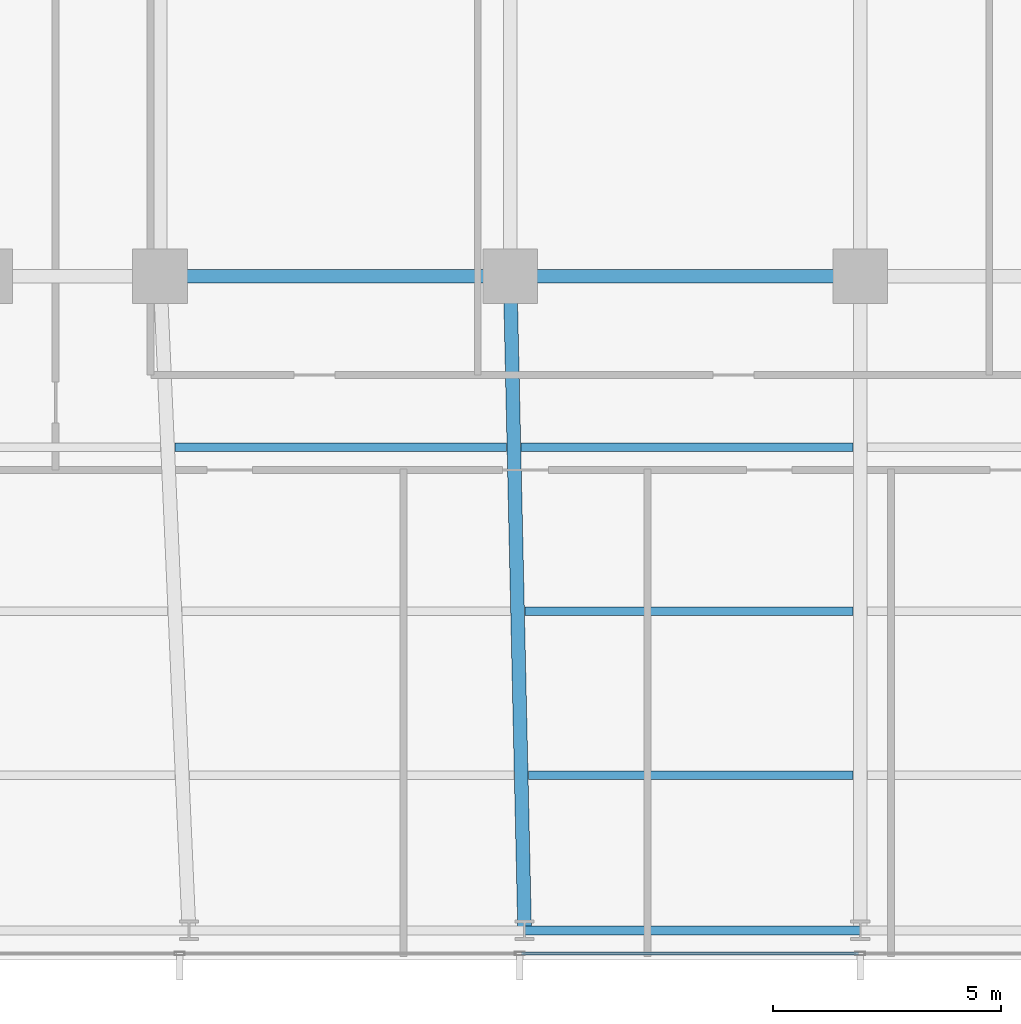
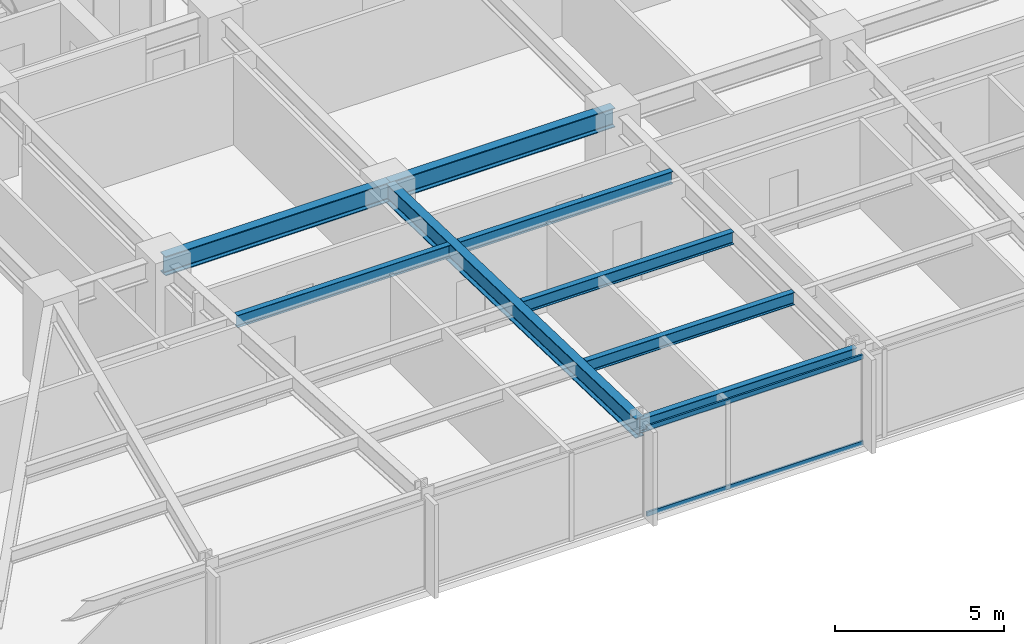
# One storey, part 6 of 32: 8 beams, 2 members, 1 element without a shape of its own.
"""IFC4 building model written with IfcOpenShell, lengths in metres."""

from ifc_helpers import new_model, si_unit, direction, frame, origin, origin_2d, place, context, subcontext, project, spatial, hollow_rectangle, i_section, extrude, material, material_profile, profile_set, type_object, element, aggregate, save


model = new_model("IFC4")

# Units and contexts
model_context = context("Model", 3, precision=1e-05, world=origin(), true_north=direction((0.0, 1.0)))
body_context = subcontext(model_context, "Body", "Model", "MODEL_VIEW")
ifc_project = project(units=[si_unit("LENGTHUNIT", "METRE"), si_unit("AREAUNIT", "SQUARE_METRE"), si_unit("VOLUMEUNIT", "CUBIC_METRE"), si_unit("PLANEANGLEUNIT", "RADIAN"), si_unit("MASSUNIT", "GRAM", prefix="KILO")], contexts=[model_context])

# Site, building, storey
site_placement = place(None, origin())
site = spatial("IfcSite", under=ifc_project, at=site_placement, CompositionType="ELEMENT")
building_placement = place(site_placement, origin())
building = spatial("IfcBuilding", under=site, at=building_placement, Name="Yelkora Congress Tower", CompositionType="ELEMENT")
storey_placement = place(building_placement, frame((0.0, 0.0, 44.0)))
storey = spatial("IfcBuildingStorey", under=building, at=storey_placement, Name="L10", CompositionType="ELEMENT", Elevation=44.0)

# Beams
ifc_material_1 = material(Name="Steel S355J2", Category="steel")
ifc_material_profile_1 = material_profile(ifc_material_1, i_section(OverallWidth=0.300048828125, OverallDepth=0.699951171875, WebThickness=0.01708984375, FlangeThickness=0.031982421875, FilletRadius=0.027099609375, at=origin_2d()), Name="HEB 700")
ifc_profile_set_1 = profile_set([ifc_material_profile_1], Name="Steel S355J2")
beam_type_1 = type_object("IfcBeamType", Name="BM-GIRD-HEB700", PredefinedType="BEAM", material=ifc_profile_set_1)
for number, where, z_axis, x_axis, name in (
    (1, (23.0400390625, 25.199951171875, 2.830078125), (1.0, 0.0, 0.0), (0.0, 1.0, 0.0), "L10 Spine Grid D Girder 2"),
    (2, (30.719970703125, 25.199951171875, 2.830078125), (1.0, 0.0, 0.0), (0.0, 1.0, 0.0), "L10 Spine Grid D Girder 3"),
):
    element("IfcBeam", number, at=place(storey_placement, frame(where, z_axis=z_axis, x_axis=x_axis)), inside=storey, type_object=beam_type_1, Name=name, PredefinedType="BEAM", context=body_context, shape_type="SweptSolid", body=[
        extrude(i_section(OverallWidth=0.300048828125, OverallDepth=0.699951171875, WebThickness=0.01708984375, FlangeThickness=0.031982421875, FilletRadius=0.027099609375, at=origin_2d()), origin(), (0.0, 0.0, 1.0), 7.679931640625),
    ])
beam_1_placement = place(storey_placement, frame((31.03759765625, 10.85009765625, 2.830078125), z_axis=(-0.022129088136, 0.999755121746, 0.0), x_axis=(-0.999755121746, -0.022129088136, 0.0)))
element("IfcBeam", 3, at=beam_1_placement, inside=storey, type_object=beam_type_1, Name="L10 Primary Frame Girder S04", PredefinedType="BEAM", context=body_context, shape_type="SweptSolid", body=[
    extrude(i_section(OverallWidth=0.300048828125, OverallDepth=0.699951171875, WebThickness=0.01708984375, FlangeThickness=0.031982421875, FilletRadius=0.027099609375, at=origin_2d()), origin(), (0.0, 0.0, 1.0), 14.353271484375),
])
ifc_material_profile_2 = material_profile(ifc_material_1, i_section(OverallWidth=0.18994140625, OverallDepth=0.449951171875, WebThickness=0.009521484375, FlangeThickness=0.0146484375, FilletRadius=0.02099609375, at=origin_2d()), Name="IPE 450")
ifc_profile_set_2 = profile_set([ifc_material_profile_2], Name="Steel S355J2")
beam_type_2 = type_object("IfcBeamType", Name="BM-JOIST-IPE450", PredefinedType="JOIST", material=ifc_profile_set_2)
beam_2_placement = place(storey_placement, frame((31.122314453125, 14.25, 2.955078125), z_axis=(1.0, 0.0, 0.0), x_axis=(0.0, 1.0, 0.0)))
element("IfcBeam", 4, at=beam_2_placement, inside=storey, type_object=beam_type_2, Name="L10 Composite Floor Joist 4", PredefinedType="JOIST", context=body_context, shape_type="SweptSolid", body=[
    extrude(i_section(OverallWidth=0.18994140625, OverallDepth=0.449951171875, WebThickness=0.009521484375, FlangeThickness=0.0146484375, FilletRadius=0.02099609375, at=origin_2d()), origin(), (0.0, 0.0, 1.0), 7.11767578125),
])
beam_3_placement = place(storey_placement, frame((31.04248046875, 17.85009765625, 2.955078125), z_axis=(1.0, 0.0, 0.0), x_axis=(0.0, 1.0, 0.0)))
element("IfcBeam", 5, at=beam_3_placement, inside=storey, type_object=beam_type_2, Name="L10 Composite Floor Joist 12", PredefinedType="JOIST", context=body_context, shape_type="SweptSolid", body=[
    extrude(i_section(OverallWidth=0.18994140625, OverallDepth=0.449951171875, WebThickness=0.009521484375, FlangeThickness=0.0146484375, FilletRadius=0.02099609375, at=origin_2d()), origin(), (0.0, 0.0, 1.0), 7.197509765625),
])
for number, where, z_axis, x_axis, name in (
    (6, (23.365966796875, 21.449951171875, 2.955078125), (1.0, 0.0, 0.0), (0.0, 1.0, 0.0), "L10 Composite Floor Joist 18"),
    (7, (30.962890625, 21.449951171875, 2.955078125), (1.0, 0.0, 0.0), (0.0, 1.0, 0.0), "L10 Composite Floor Joist 19"),
):
    element("IfcBeam", number, at=place(storey_placement, frame(where, z_axis=z_axis, x_axis=x_axis)), inside=storey, type_object=beam_type_2, Name=name, PredefinedType="JOIST", context=body_context, shape_type="SweptSolid", body=[
        extrude(i_section(OverallWidth=0.18994140625, OverallDepth=0.449951171875, WebThickness=0.009521484375, FlangeThickness=0.0146484375, FilletRadius=0.02099609375, at=origin_2d()), origin(), (0.0, 0.0, 1.0), 7.277099609375),
    ])
ifc_material_profile_3 = material_profile(ifc_material_1, i_section(OverallWidth=0.199951171875, OverallDepth=0.5, WebThickness=0.01025390625, FlangeThickness=0.01611328125, FilletRadius=0.02099609375, at=origin_2d()), Name="IPE 500")
ifc_profile_set_3 = profile_set([ifc_material_profile_3], Name="Steel S355J2")
beam_type_3 = type_object("IfcBeamType", Name="BM-SPAN-IPE500", PredefinedType="SPANDREL", material=ifc_profile_set_3)
beam_4_placement = place(storey_placement, frame((31.03759765625, 10.85009765625, 2.929931640625), z_axis=(1.0, 0.0, 0.0), x_axis=(0.0, 1.0, 0.0)))
element("IfcBeam", 8, at=beam_4_placement, inside=storey, type_object=beam_type_3, Name="L10 Perimeter Beam 5", PredefinedType="SPANDREL", context=body_context, shape_type="SweptSolid", body=[
    extrude(i_section(OverallWidth=0.199951171875, OverallDepth=0.5, WebThickness=0.01025390625, FlangeThickness=0.01611328125, FilletRadius=0.02099609375, at=origin_2d()), origin(), (0.0, 0.0, 1.0), 7.3623046875),
])

# Curtain wall, members
ifc_material_2 = material(Name="Anodised aluminium and insulated glass", Category="aluminium")
curtain_wall_type = type_object("IfcCurtainWallType", Name="CW-SYS-B1", PredefinedType="NOTDEFINED", material=ifc_material_2)
curtain_wall_placement = place(storey_placement, origin())
curtain_wall = element("IfcCurtainWall", 9, at=curtain_wall_placement, inside=storey, type_object=curtain_wall_type, Name="L10 Unitised Curtain Wall 20", PredefinedType="NOTDEFINED")
ifc_material_3 = material(Name="Anodised aluminium 6063-T6", Category="aluminium")
ifc_material_profile_4 = material_profile(ifc_material_3, hollow_rectangle(XDim=0.06494140625, YDim=0.159912109375, WallThickness=0.00390625, at=origin_2d()), Name="ALU 65x160x4")
ifc_profile_set_4 = profile_set([ifc_material_profile_4], Name="Anodised aluminium 6063-T6")
member_type = type_object("IfcMemberType", Name="MEM-TR-B1", PredefinedType="USERDEFINED", material=ifc_profile_set_4)
member_1_placement = place(storey_placement, frame((38.362548828125, 10.340087890625, 0.032470703125), z_axis=(-1.0, 0.0, 0.0), x_axis=(0.0, -1.0, 0.0)))
member_1 = element("IfcMember", 10, at=member_1_placement, type_object=member_type, Name="CW-B1 transom 5.1", ObjectType="TRANSOM", PredefinedType="USERDEFINED", context=body_context, shape_type="SweptSolid", body=[
    extrude(hollow_rectangle(XDim=0.06494140625, YDim=0.159912109375, WallThickness=0.00390625, at=origin_2d()), origin(), (0.0, 0.0, 1.0), 7.39013671875),
])
member_2_placement = place(storey_placement, frame((38.362548828125, 10.340087890625, 3.1474609375), z_axis=(-1.0, 0.0, 0.0), x_axis=(0.0, -1.0, 0.0)))
member_2 = element("IfcMember", 11, at=member_2_placement, type_object=member_type, Name="CW-B1 transom 5.2", ObjectType="TRANSOM", PredefinedType="USERDEFINED", context=body_context, shape_type="SweptSolid", body=[
    extrude(hollow_rectangle(XDim=0.06494140625, YDim=0.159912109375, WallThickness=0.00390625, at=origin_2d()), origin(), (0.0, 0.0, 1.0), 7.39013671875),
])
aggregate(curtain_wall, [member_1, member_2])

save(model, "model.ifc")
